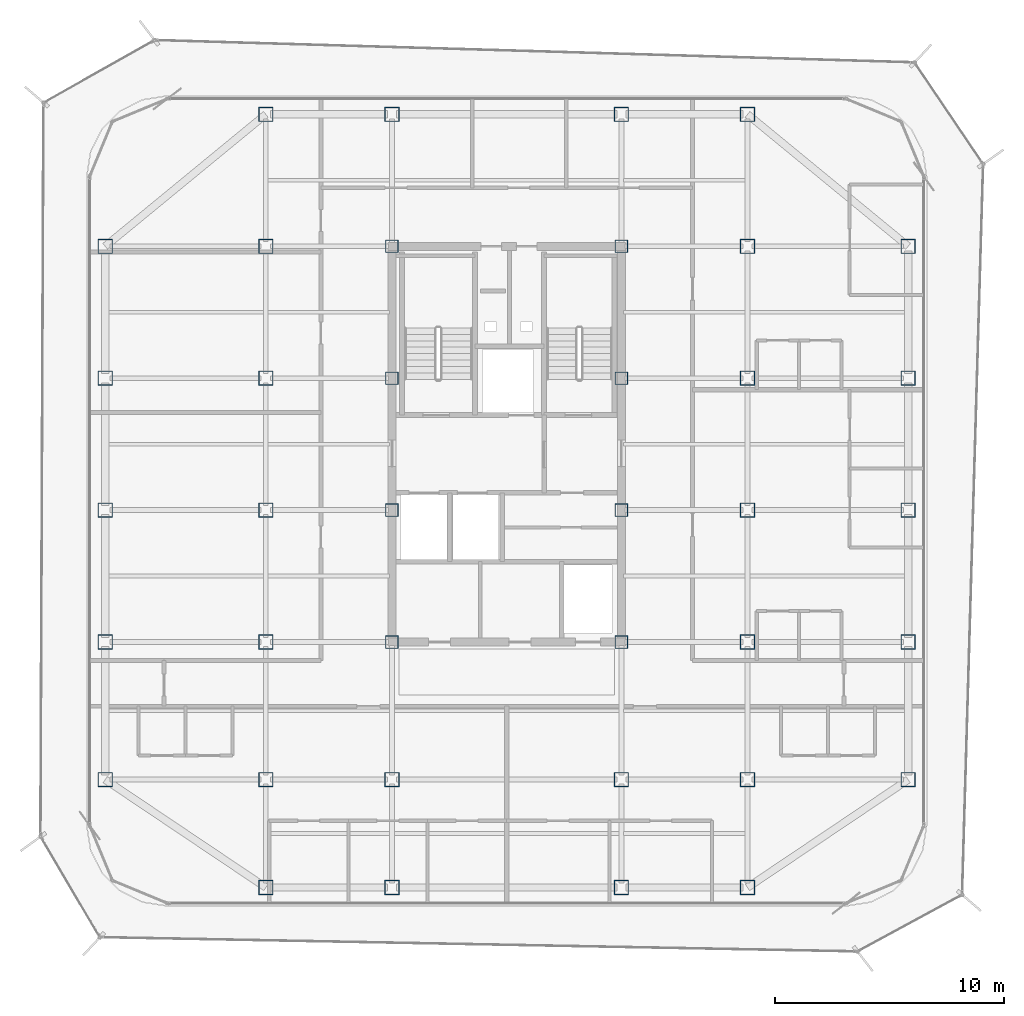
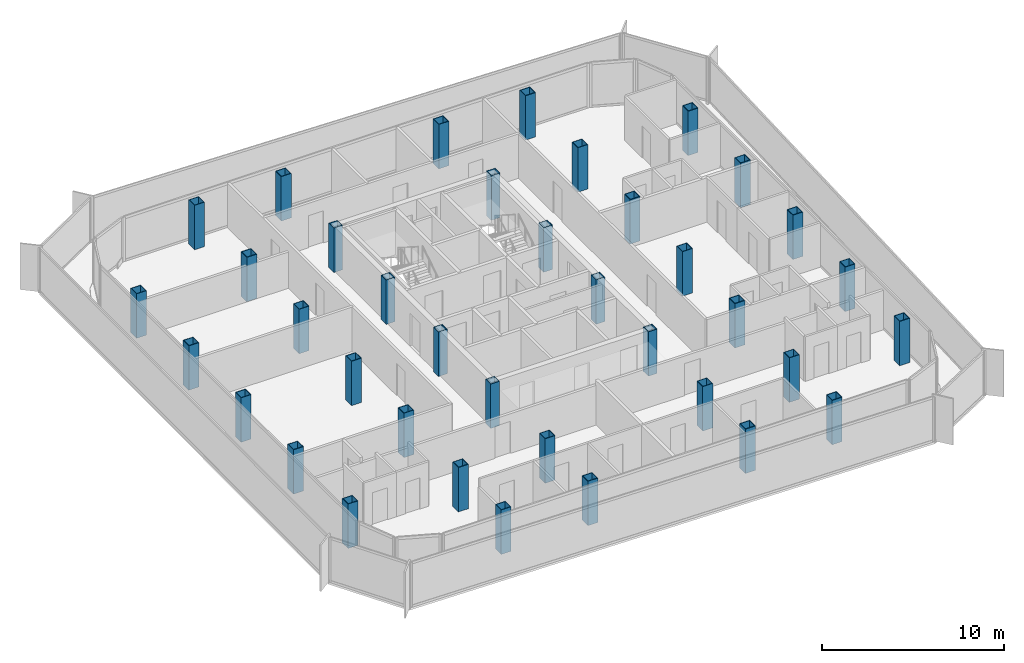
# One storey, part 1 of 15: 38 columns.
"""IFC4 building model written with IfcOpenShell, lengths in metres."""

from ifc_helpers import new_model, si_unit, direction, frame, origin, origin_2d, place, context, subcontext, project, spatial, hollow_rectangle, extrude, source, transform, mapped, material, material_profile, profile_set, type_object, element, save


model = new_model("IFC4")

# Units and contexts
model_context = context("Model", 3, precision=1e-05, world=origin(), true_north=direction((0.0, 1.0)))
body_context = subcontext(model_context, "Body", "Model", "MODEL_VIEW")
ifc_project = project(units=[si_unit("LENGTHUNIT", "METRE"), si_unit("AREAUNIT", "SQUARE_METRE"), si_unit("VOLUMEUNIT", "CUBIC_METRE"), si_unit("PLANEANGLEUNIT", "RADIAN"), si_unit("MASSUNIT", "GRAM", prefix="KILO")], contexts=[model_context])

# Site, building, storey
site_placement = place(None, origin())
site = spatial("IfcSite", under=ifc_project, at=site_placement, CompositionType="ELEMENT")
building_placement = place(site_placement, origin())
building = spatial("IfcBuilding", under=site, at=building_placement, Name="Kolveth Station Tower", CompositionType="ELEMENT")
storey_placement = place(building_placement, frame((0.0, 0.0, 242.5)))
storey = spatial("IfcBuildingStorey", under=building, at=storey_placement, Name="L69", CompositionType="ELEMENT", Elevation=242.5)

# Columns
ifc_material = material(Name="Steel S355", Category="steel")
ifc_material_profile_1 = material_profile(ifc_material, hollow_rectangle(XDim=0.639892578125, YDim=0.639892578125, WallThickness=0.034912109375, at=origin_2d()), Name="BOX640x640x35")
ifc_profile_set_1 = profile_set([ifc_material_profile_1], Name="Steel S355")
column_type_1 = type_object("IfcColumnType", Name="Col_C7", PredefinedType="COLUMN", material=ifc_profile_set_1)
shared_shape_1 = source(origin(), body_context, "Body", "SweptSolid", [
    extrude(hollow_rectangle(XDim=0.639892578125, YDim=0.639892578125, WallThickness=0.034912109375, at=origin_2d()), origin(), (0.0, 0.0, 1.0), 2.97998046875),
])
for number, where, z_axis, x_axis, name in (
    (1, (13.0, 0.800048828125, 0.0), (0.0, 0.0, 1.0), (1.0, 0.0, 0.0), "L69 Tower Column S-X130"),
    (2, (13.0, 34.5, 0.0), (0.0, 0.0, 1.0), (1.0, 0.0, 0.0), "L69 Tower Column N-X130"),
    (3, (18.5, 0.800048828125, 0.0), (0.0, 0.0, 1.0), (1.0, 0.0, 0.0), "L69 Tower Column S-X185"),
    (4, (18.5, 34.5, 0.0), (0.0, 0.0, 1.0), (1.0, 0.0, 0.0), "L69 Tower Column N-X185"),
    (5, (28.5, 0.800048828125, 0.0), (0.0, 0.0, 1.0), (1.0, 0.0, 0.0), "L69 Tower Column S-X285"),
    (6, (28.5, 34.5, 0.0), (0.0, 0.0, 1.0), (1.0, 0.0, 0.0), "L69 Tower Column N-X285"),
    (7, (34.0, 0.800048828125, 0.0), (0.0, 0.0, 1.0), (1.0, 0.0, 0.0), "L69 Tower Column S-X340"),
    (8, (34.0, 34.5, 0.0), (0.0, 0.0, 1.0), (1.0, 0.0, 0.0), "L69 Tower Column N-X340"),
    (9, (6.0, 5.5, 0.0), (0.0, 0.0, 1.0), (1.0, 0.0, 0.0), "L69 Tower Column W-Y55"),
    (10, (41.0, 5.5, 0.0), (0.0, 0.0, 1.0), (1.0, 0.0, 0.0), "L69 Tower Column E-Y55"),
    (11, (6.0, 11.5, 0.0), (0.0, 0.0, 1.0), (1.0, 0.0, 0.0), "L69 Tower Column W-Y115"),
    (12, (41.0, 11.5, 0.0), (0.0, 0.0, 1.0), (1.0, 0.0, 0.0), "L69 Tower Column E-Y115"),
    (13, (6.0, 17.25, 0.0), (0.0, 0.0, 1.0), (1.0, 0.0, 0.0), "L69 Tower Column W-Y172"),
    (14, (41.0, 17.25, 0.0), (0.0, 0.0, 1.0), (1.0, 0.0, 0.0), "L69 Tower Column E-Y172"),
    (15, (6.0, 23.0, 0.0), (0.0, 0.0, 1.0), (1.0, 0.0, 0.0), "L69 Tower Column W-Y230"),
    (16, (41.0, 23.0, 0.0), (0.0, 0.0, 1.0), (1.0, 0.0, 0.0), "L69 Tower Column E-Y230"),
    (17, (6.0, 28.75, 0.0), (0.0, 0.0, 1.0), (1.0, 0.0, 0.0), "L69 Tower Column W-Y287"),
    (18, (41.0, 28.75, 0.0), (0.0, 0.0, 1.0), (1.0, 0.0, 0.0), "L69 Tower Column E-Y287"),
    (19, (13.0, 5.5, 0.0), (0.0, 0.0, 1.0), (1.0, 0.0, 0.0), "L69 Tower Column G-130-55"),
    (20, (13.0, 11.5, 0.0), (0.0, 0.0, 1.0), (1.0, 0.0, 0.0), "L69 Tower Column G-130-115"),
    (21, (13.0, 17.25, 0.0), (0.0, 0.0, 1.0), (1.0, 0.0, 0.0), "L69 Tower Column G-130-172"),
    (22, (13.0, 23.0, 0.0), (0.0, 0.0, 1.0), (1.0, 0.0, 0.0), "L69 Tower Column G-130-230"),
    (23, (13.0, 28.75, 0.0), (0.0, 0.0, 1.0), (1.0, 0.0, 0.0), "L69 Tower Column G-130-287"),
    (24, (18.5, 5.5, 0.0), (0.0, 0.0, 1.0), (1.0, 0.0, 0.0), "L69 Tower Column G-185-55"),
    (25, (28.5, 5.5, 0.0), (0.0, 0.0, 1.0), (1.0, 0.0, 0.0), "L69 Tower Column G-285-55"),
    (26, (34.0, 5.5, 0.0), (0.0, 0.0, 1.0), (1.0, 0.0, 0.0), "L69 Tower Column G-340-55"),
    (27, (34.0, 11.5, 0.0), (0.0, 0.0, 1.0), (1.0, 0.0, 0.0), "L69 Tower Column G-340-115"),
    (28, (34.0, 17.25, 0.0), (0.0, 0.0, 1.0), (1.0, 0.0, 0.0), "L69 Tower Column G-340-172"),
    (29, (34.0, 23.0, 0.0), (0.0, 0.0, 1.0), (1.0, 0.0, 0.0), "L69 Tower Column G-340-230"),
    (30, (34.0, 28.75, 0.0), (0.0, 0.0, 1.0), (1.0, 0.0, 0.0), "L69 Tower Column G-340-287"),
):
    element("IfcColumn", number, at=place(storey_placement, frame(where, z_axis=z_axis, x_axis=x_axis)), inside=storey, type_object=column_type_1, Name=name, PredefinedType="COLUMN", context=body_context, shape_type="MappedRepresentation", body=[
        mapped(shared_shape_1, transform((0.0, 0.0, 0.0), x_axis=(1.0, 0.0, 0.0), y_axis=(0.0, 1.0, 0.0), z_axis=(0.0, 0.0, 1.0), scale=1.0)),
    ])
ifc_material_profile_2 = material_profile(ifc_material, hollow_rectangle(XDim=0.56005859375, YDim=0.56005859375, WallThickness=0.030029296875, at=origin_2d()), Name="BOX560x560x30")
ifc_profile_set_2 = profile_set([ifc_material_profile_2], Name="Steel S355")
column_type_2 = type_object("IfcColumnType", Name="Col_C8", PredefinedType="COLUMN", material=ifc_profile_set_2)
shared_shape_2 = source(origin(), body_context, "Body", "SweptSolid", [
    extrude(hollow_rectangle(XDim=0.56005859375, YDim=0.56005859375, WallThickness=0.030029296875, at=origin_2d()), origin(), (0.0, 0.0, 1.0), 2.97998046875),
])
for number, where, z_axis, x_axis, name in (
    (31, (18.5, 11.5, 0.0), (0.0, 0.0, 1.0), (1.0, 0.0, 0.0), "L69 Tower Column G-185-115"),
    (32, (18.5, 17.25, 0.0), (0.0, 0.0, 1.0), (1.0, 0.0, 0.0), "L69 Tower Column G-185-172"),
    (33, (18.5, 23.0, 0.0), (0.0, 0.0, 1.0), (1.0, 0.0, 0.0), "L69 Tower Column G-185-230"),
    (34, (18.5, 28.75, 0.0), (0.0, 0.0, 1.0), (1.0, 0.0, 0.0), "L69 Tower Column G-185-287"),
    (35, (28.5, 11.5, 0.0), (0.0, 0.0, 1.0), (1.0, 0.0, 0.0), "L69 Tower Column G-285-115"),
    (36, (28.5, 17.25, 0.0), (0.0, 0.0, 1.0), (1.0, 0.0, 0.0), "L69 Tower Column G-285-172"),
    (37, (28.5, 23.0, 0.0), (0.0, 0.0, 1.0), (1.0, 0.0, 0.0), "L69 Tower Column G-285-230"),
    (38, (28.5, 28.75, 0.0), (0.0, 0.0, 1.0), (1.0, 0.0, 0.0), "L69 Tower Column G-285-287"),
):
    element("IfcColumn", number, at=place(storey_placement, frame(where, z_axis=z_axis, x_axis=x_axis)), inside=storey, type_object=column_type_2, Name=name, PredefinedType="COLUMN", context=body_context, shape_type="MappedRepresentation", body=[
        mapped(shared_shape_2, transform((0.0, 0.0, 0.0), x_axis=(1.0, 0.0, 0.0), y_axis=(0.0, 1.0, 0.0), z_axis=(0.0, 0.0, 1.0), scale=1.0)),
    ])

save(model, "model.ifc")
